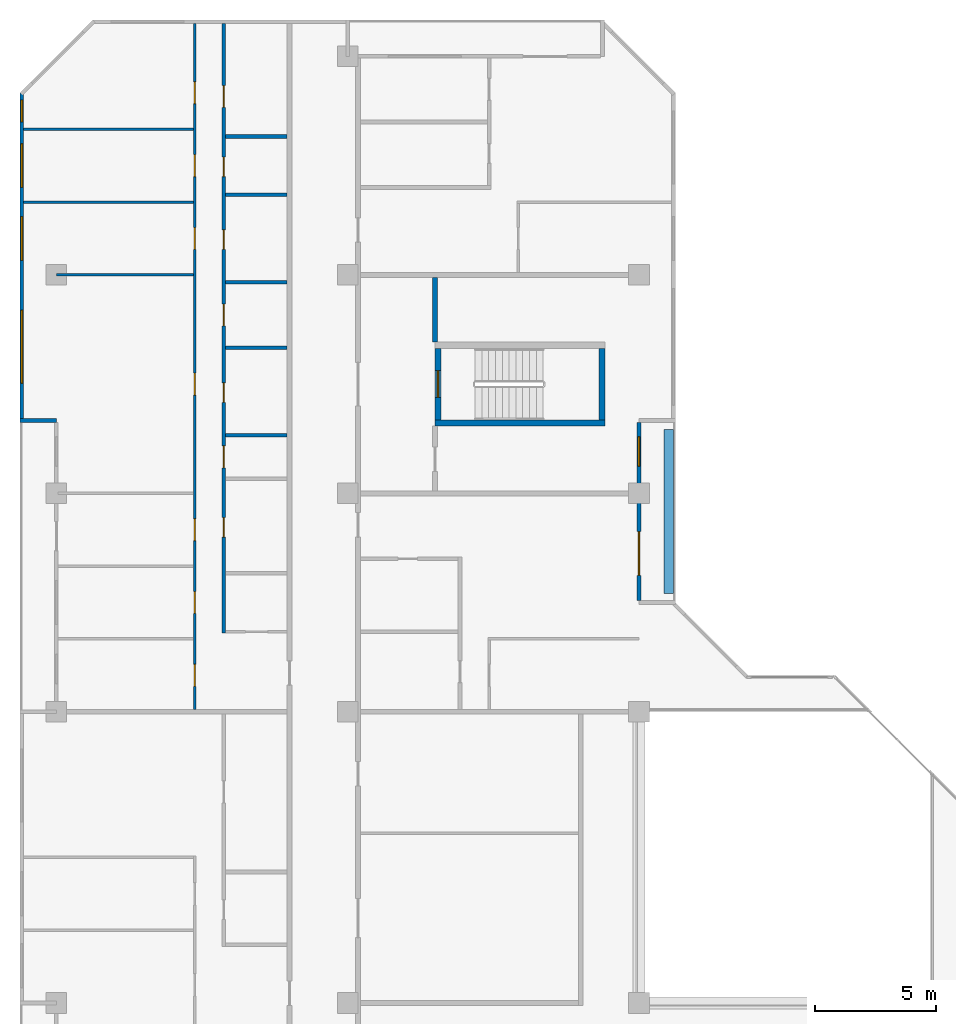
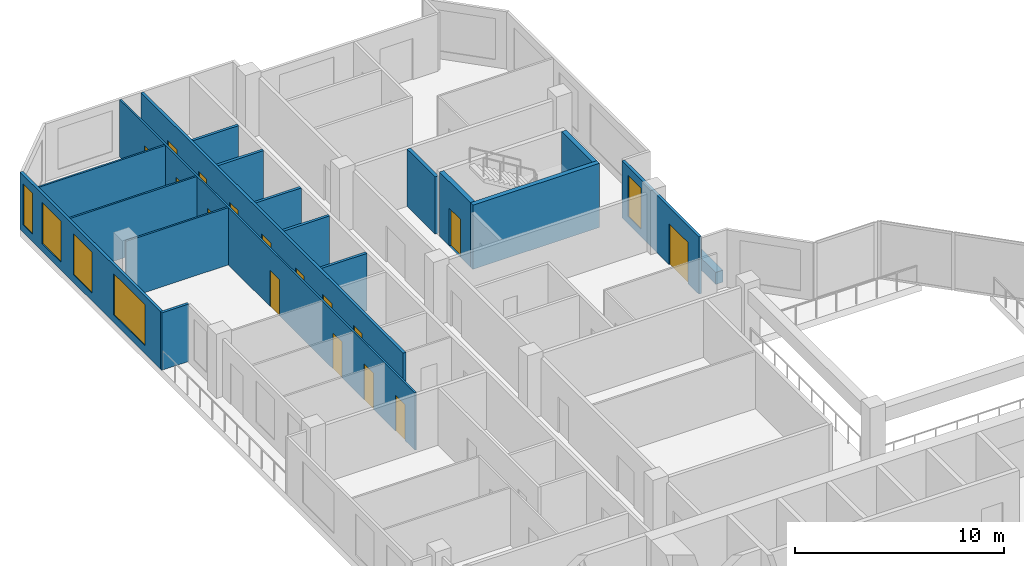
# One storey, part 10 of 14: 18 walls, 16 doors, 5 windows, 21 openings.
"""IFC4 building model written with IfcOpenShell, lengths in metres."""

import ifcopenshell
import ifcopenshell.guid

model = None  # the IFC model being written
_history = None  # IfcOwnerHistory: only IFC2X3 demands one
_inside = {}  # id of a spatial element -> (the spatial element, [elements in it])
_under = {}  # id of a project, library or spatial element -> (it, [spatial elements below it])
_declared = {}  # id of a project -> (the project, [libraries it declares])
_typed = {}  # id of a type object -> (the type object, [elements of that type])
_made_of = {}  # id of a material, layer set ... -> (it, [elements and type objects made of it])


def new_model(schema):
    """Start an empty IFC model of exactly this schema.

    Asked for "IFC4X3", IfcOpenShell would pick the latest addendum, in which some entities
    have other attributes; the version numbers below select the first issue.
    IFC2X3 requires an IfcOwnerHistory on every rooted entity: one is made here for all.
    """
    global model, _history
    if schema == "IFC4X3":
        model = ifcopenshell.file(schema_version=(4, 3, 0, 0))
    else:
        model = ifcopenshell.file(schema=schema)
    _inside.clear()
    _under.clear()
    _declared.clear()
    _typed.clear()
    _made_of.clear()
    _history = None
    if model.schema == "IFC2X3":
        org = make("IfcOrganization", Name="unknown")
        user = make(
            "IfcPersonAndOrganization",
            ThePerson=make("IfcPerson", FamilyName="unknown"),
            TheOrganization=org,
        )
        app = make(
            "IfcApplication",
            ApplicationDeveloper=org,
            Version="unknown",
            ApplicationFullName="unknown",
            ApplicationIdentifier="unknown",
        )
        _history = make(
            "IfcOwnerHistory",
            OwningUser=user,
            OwningApplication=app,
            ChangeAction="ADDED",
            CreationDate=0,
        )
    return model


def make(cls, **values):
    """One entity of the class cls with the attributes given. An attribute that is None is left unset."""
    return model.create_entity(
        cls, **{name: value for name, value in values.items() if value is not None}
    )


def rooted(cls, **values):
    """An entity with a GlobalId (a new one), such as an element, a storey or a relation."""
    return make(cls, GlobalId=ifcopenshell.guid.new(), OwnerHistory=_history, **values)


def si_unit(unit_type, name, prefix=None):
    """IfcSIUnit, for example si_unit("LENGTHUNIT", "METRE", prefix="MILLI")."""
    return make("IfcSIUnit", UnitType=unit_type, Prefix=prefix, Name=name)


def assignment(units):
    """IfcUnitAssignment: the units of a project."""
    return None if units is None else make("IfcUnitAssignment", Units=units)


def point(xyz):
    """IfcCartesianPoint."""
    return None if xyz is None else make("IfcCartesianPoint", Coordinates=xyz)


def direction(xyz):
    """IfcDirection."""
    return None if xyz is None else make("IfcDirection", DirectionRatios=xyz)


def frame(location, z_axis=None, x_axis=None):
    """IfcAxis2Placement3D, a coordinate frame: its origin and axes. An axis left out is left unset."""
    return make(
        "IfcAxis2Placement3D",
        Location=point(location),
        Axis=direction(z_axis),
        RefDirection=direction(x_axis),
    )


def frame_2d(location, x_axis=None):
    """IfcAxis2Placement2D, a coordinate frame in the plane: its origin and x axis."""
    return make(
        "IfcAxis2Placement2D", Location=point(location), RefDirection=direction(x_axis)
    )


def origin():
    """The frame at (0, 0, 0) with its axes left unset."""
    return frame((0.0, 0.0, 0.0))


def place(relative_to, where):
    """IfcLocalPlacement: puts the frame where relative to a parent placement (None: the world)."""
    return make(
        "IfcLocalPlacement", PlacementRelTo=relative_to, RelativePlacement=where
    )


def context(
    kind, dimensions, precision=None, world=None, true_north=None, identifier=None
):
    """IfcGeometricRepresentationContext, for example the 3D "Model" context."""
    return make(
        "IfcGeometricRepresentationContext",
        ContextIdentifier=identifier,
        ContextType=kind,
        CoordinateSpaceDimension=dimensions,
        Precision=precision,
        WorldCoordinateSystem=world,
        TrueNorth=true_north,
    )


def subcontext(parent, identifier, kind, view, scale=None):
    """IfcGeometricRepresentationSubContext, for example "Body" below "Model"."""
    return make(
        "IfcGeometricRepresentationSubContext",
        ContextIdentifier=identifier,
        ContextType=kind,
        ParentContext=parent,
        TargetScale=scale,
        TargetView=view,
    )


def project(units=None, contexts=None):
    """IfcProject with its units and contexts."""
    return rooted(
        "IfcProject",
        Name="project",
        RepresentationContexts=contexts,
        UnitsInContext=assignment(units),
    )


def spatial(cls, under=None, at=None, **own):
    """A site, building, storey or space (cls), placed at a placement, below another one or the project."""
    s = rooted(cls, ObjectPlacement=at, **own)
    if under is not None:
        _under.setdefault(under.id(), (under, []))[1].append(s)
    return s


def profile(cls, at=None, kind="AREA", **sizes):
    """A parametric profile (cls). Its sizes go by their IFC names, for example OverallWidth=200.0."""
    return make(cls, ProfileType=kind, Position=at, **sizes)


def rectangle(**sizes):
    """IfcRectangleProfileDef."""
    return profile("IfcRectangleProfileDef", **sizes)


def extrude(swept, where, along, depth):
    """IfcExtrudedAreaSolid: the profile swept, set in the frame where, extruded along a direction by depth."""
    return make(
        "IfcExtrudedAreaSolid",
        SweptArea=swept,
        Position=where,
        ExtrudedDirection=direction(along),
        Depth=depth,
    )


def shape(context_of_items, identifier, shape_type, items):
    """IfcShapeRepresentation: the items that make up one representation, for example the "Body"."""
    return make(
        "IfcShapeRepresentation",
        ContextOfItems=context_of_items,
        RepresentationIdentifier=identifier,
        RepresentationType=shape_type,
        Items=items,
    )


def material(Name=None, Category=None):
    """IfcMaterial."""
    return make("IfcMaterial", Name=Name, Category=Category)


def layer(
    of_material, thickness, ventilated=None, Name=None, Category=None, Priority=None
):
    """IfcMaterialLayer: one layer of a wall or slab, of a material (None: an air gap)."""
    return make(
        "IfcMaterialLayer",
        Material=of_material,
        LayerThickness=thickness,
        IsVentilated=ventilated,
        Name=Name,
        Category=Category,
        Priority=Priority,
    )


def layer_set(layers, Name=None):
    """IfcMaterialLayerSet."""
    return make("IfcMaterialLayerSet", MaterialLayers=layers, LayerSetName=Name)


def made_of(thing, what):
    """Note that an element or type object is made of a material, layer set ...; save() writes the relation."""
    if what is not None:
        _made_of.setdefault(what.id(), (what, []))[1].append(thing)
    return thing


def type_object(cls, material=None, **own):
    """A type object (cls), such as IfcWallType, which elements share."""
    return made_of(rooted(cls, **own), material)


def element(
    cls,
    number,
    at=None,
    inside=None,
    cuts=None,
    type_object=None,
    material=None,
    context=None,
    identifier="Body",
    shape_type=None,
    held_by="IfcProductDefinitionShape",
    body=None,
    shapes=None,
    **own,
):
    """One element of the class cls, such as IfcWall. Its Tag is "e" and its number.

    at: its placement. inside: the storey or other place that contains it. cuts: it is an
    opening in that element (IfcRelVoidsElement). A single representation is given by context,
    identifier, shape_type and body (its items); several are given by shapes. held_by: the class
    of the entity that holds the representations. save() writes the other relations.
    """
    e = rooted(cls, Tag="e%d" % number, ObjectPlacement=at, **own)
    if body is not None:
        shapes = [shape(context, identifier, shape_type, body)]
    if shapes is not None:
        e.Representation = make(held_by, Representations=shapes)
    if inside is not None:
        _inside.setdefault(inside.id(), (inside, []))[1].append(e)
    if cuts is not None:
        rooted(
            "IfcRelVoidsElement", RelatingBuildingElement=cuts, RelatedOpeningElement=e
        )
    if type_object is not None:
        _typed.setdefault(type_object.id(), (type_object, []))[1].append(e)
    return made_of(e, material)


def fill(opening, filler):
    """IfcRelFillsElement: the door or window that sits in an opening."""
    return rooted(
        "IfcRelFillsElement",
        RelatingOpeningElement=opening,
        RelatedBuildingElement=filler,
    )


def aggregate(whole, parts):
    """IfcRelAggregates: a whole, such as a stair, and the parts it consists of."""
    return rooted("IfcRelAggregates", RelatingObject=whole, RelatedObjects=parts)


def save(model, path):
    """Write the relations noted so far, then the file.

    IfcRelAggregates (storeys below a building ...), IfcRelContainedInSpatialStructure (elements
    in a storey), IfcRelDefinesByType, IfcRelAssociatesMaterial and IfcRelDeclares: one each for
    every whole, place, type object, material and project.
    """
    for whole, parts in _under.values():
        aggregate(whole, parts)
    for where, things in _inside.values():
        rooted(
            "IfcRelContainedInSpatialStructure",
            RelatedElements=things,
            RelatingStructure=where,
        )
    for kind, things in _typed.values():
        rooted("IfcRelDefinesByType", RelatedObjects=things, RelatingType=kind)
    for what, things in _made_of.values():
        rooted("IfcRelAssociatesMaterial", RelatedObjects=things, RelatingMaterial=what)
    for by, libraries in _declared.values():
        rooted("IfcRelDeclares", RelatingContext=by, RelatedDefinitions=libraries)
    model.write(path)


model = new_model("IFC4")

# Units and contexts
model_context = context("Model", 3, precision=1e-05, world=origin(), true_north=direction((0.0, 1.0)))
body_context = subcontext(model_context, "Body", "Model", "MODEL_VIEW")
ifc_project = project(units=[si_unit("LENGTHUNIT", "METRE"), si_unit("AREAUNIT", "SQUARE_METRE"), si_unit("VOLUMEUNIT", "CUBIC_METRE"), si_unit("PLANEANGLEUNIT", "RADIAN"), si_unit("MASSUNIT", "GRAM", prefix="KILO")], contexts=[model_context])

# Site, building, storey
site_placement = place(None, origin())
site = spatial("IfcSite", under=ifc_project, at=site_placement, CompositionType="ELEMENT")
building_placement = place(site_placement, origin())
building = spatial("IfcBuilding", under=site, at=building_placement, Name="Chenar Terraces", CompositionType="ELEMENT")
storey_placement = place(building_placement, frame((0.0, 0.0, 230.39990234375)))
storey = spatial("IfcBuildingStorey", under=building, at=storey_placement, Name="L54", CompositionType="ELEMENT", Elevation=230.39990234375)

# Wall
ifc_material_1 = material(Name="Concrete C60/75", Category="concrete")
ifc_layer_1 = layer(ifc_material_1, 0.25)
ifc_layer_set_1 = layer_set([ifc_layer_1], Name="Concrete C60/75")
wall_type_1 = type_object("IfcWallType", Name="Core wall 250 Concrete C60/75", PredefinedType="SHEAR", material=ifc_layer_set_1)
wall_1_placement = place(storey_placement, frame((15.60009765625, 47.89990234375, 0.0), z_axis=(0.0, 0.0, 1.0), x_axis=(1.0, 0.0, 0.0)))
element("IfcWall", 1, at=wall_1_placement, inside=storey, type_object=wall_type_1, Name="Core wall ST4_S L54", PredefinedType="SHEAR", context=body_context, shape_type="SweptSolid", body=[
    extrude(rectangle(XDim=7.0, YDim=0.25, at=frame_2d((3.5, 0.0))), origin(), (0.0, 0.0, 1.0), 3.75),
])

# Wall, opening, door
wall_2_placement = place(storey_placement, frame((15.72509765625, 48.02490234375, 0.0), z_axis=(0.0, 0.0, 1.0), x_axis=(0.0, 1.0, 0.0)))
wall_2 = element("IfcWall", 2, at=wall_2_placement, inside=storey, type_object=wall_type_1, Name="Core wall ST4_W L54", PredefinedType="SHEAR", context=body_context, shape_type="SweptSolid", body=[
    extrude(rectangle(XDim=2.9501953125, YDim=0.25, at=frame_2d((1.47509765625, 0.0))), origin(), (0.0, 0.0, 1.0), 3.75),
])
opening_1_placement = place(wall_2_placement, frame((0.925048828125, 0.0, 0.0)))
opening_1 = element("IfcOpeningElement", 3, at=opening_1_placement, cuts=wall_2, Name="Opening DL54-C9", PredefinedType="OPENING", context=body_context, shape_type="SweptSolid", body=[
    extrude(rectangle(XDim=1.10009765625, YDim=2.199951171875, at=frame_2d((0.550048828125, 1.10009765625))), frame((0.0, 0.135009765625, 0.0), z_axis=(0.0, -1.0, 0.0), x_axis=(1.0, 0.0, 0.0)), (0.0, 0.0, 1.0), 0.27001953125),
])
ifc_material_2 = material(Name="Steel-framed fire-resisting door leaf", Category="steel")
door_type_1 = type_object("IfcDoorType", Name="Stair fire door FD60 1100 x 2200", OperationType="SINGLE_SWING_LEFT", PredefinedType="DOOR", material=ifc_material_2)
door_1_placement = place(opening_1_placement, frame((1.10009765625, 0.0, 0.0), z_axis=(0.0, 0.0, 1.0), x_axis=(-1.0, 0.0, 0.0)))
door_1 = element("IfcDoor", 4, at=door_1_placement, inside=storey, type_object=door_type_1, Name="Stair door DL54-C9", OperationType="SINGLE_SWING_RIGHT", OverallHeight=2.199951171875, OverallWidth=1.10009765625, PredefinedType="DOOR", context=body_context, shape_type="SweptSolid", body=[
    extrude(rectangle(XDim=1.10009765625, YDim=2.199951171875, at=frame_2d((0.550048828125, 1.10009765625))), frame((0.0, 0.02490234375, 0.0), z_axis=(0.0, -1.0, 0.0), x_axis=(1.0, 0.0, 0.0)), (0.0, 0.0, 1.0), 0.050048828125),
])
fill(opening_1, door_1)

# Walls
wall_3_placement = place(storey_placement, frame((22.47509765625, 48.02490234375, 0.0), z_axis=(0.0, 0.0, 1.0), x_axis=(0.0, 1.0, 0.0)))
element("IfcWall", 5, at=wall_3_placement, inside=storey, type_object=wall_type_1, Name="Core wall ST4_E L54", PredefinedType="SHEAR", context=body_context, shape_type="SweptSolid", body=[
    extrude(rectangle(XDim=2.9501953125, YDim=0.25, at=frame_2d((1.47509765625, 0.0))), origin(), (0.0, 0.0, 1.0), 3.75),
])
ifc_material_3 = material(Name="Gypsum board on steel studs with fire boards", Category="steel")
ifc_layer_2 = layer(ifc_material_3, 0.199951171875)
ifc_layer_set_2 = layer_set([ifc_layer_2], Name="Gypsum board on steel studs with fire boards")
wall_type_2 = type_object("IfcWallType", Name="Corridor wall 200", PredefinedType="PARTITIONING", material=ifc_layer_set_2)
wall_4_placement = place(storey_placement, frame((15.60009765625, 51.22509765625, 0.0), z_axis=(0.0, 0.0, 1.0), x_axis=(0.0, 1.0, 0.0)))
element("IfcWall", 6, at=wall_4_placement, inside=storey, type_object=wall_type_2, Name="Partition L54-043", PredefinedType="PARTITIONING", context=body_context, shape_type="SweptSolid", body=[
    extrude(rectangle(XDim=2.6748046875, YDim=0.199951171875, at=frame_2d((1.33740234375, 0.0))), origin(), (0.0, 0.0, 1.0), 3.35009765625),
])

# Wall, openings, windows
ifc_material_4 = material(Name="Aluminium framed glazing", Category="aluminium")
ifc_layer_3 = layer(ifc_material_4, 0.14990234375)
ifc_layer_set_3 = layer_set([ifc_layer_3], Name="Aluminium framed glazing")
wall_type_3 = type_object("IfcWallType", Name="Glazed flush facade wall 150", PredefinedType="SOLIDWALL", material=ifc_layer_set_3)
wall_5_placement = place(storey_placement, frame((-1.425048828125, 61.5, 0.0), z_axis=(0.0, 0.0, 1.0), x_axis=(0.0, -1.0, 0.0)))
wall_5 = element("IfcWall", 7, at=wall_5_placement, inside=storey, type_object=wall_type_3, Name="Glazed flush facade wall", PredefinedType="SOLIDWALL", context=body_context, shape_type="SweptSolid", body=[
    extrude(rectangle(XDim=13.425048828125, YDim=0.14990234375, at=frame_2d((6.71240234375, 0.0))), origin(), (0.0, 0.0, 1.0), 3.35009765625),
])
opening_2_placement = place(wall_5_placement, frame((0.300048828125, 0.0, 0.449951171875)))
opening_2 = element("IfcOpeningElement", 8, at=opening_2_placement, cuts=wall_5, Name="Opening W90x240", PredefinedType="OPENING", context=body_context, shape_type="SweptSolid", body=[
    extrude(rectangle(XDim=0.89990234375, YDim=2.39990234375, at=frame_2d((0.449951171875, 1.199951171875))), frame((0.0, 0.0849609375, 0.0), z_axis=(0.0, -1.0, 0.0), x_axis=(1.0, 0.0, 0.0)), (0.0, 0.0, 1.0), 0.169921875),
])
opening_3_placement = place(wall_5_placement, frame((2.10009765625, 0.0, 0.449951171875)))
opening_3 = element("IfcOpeningElement", 9, at=opening_3_placement, cuts=wall_5, Name="Opening W180x240", PredefinedType="OPENING", context=body_context, shape_type="SweptSolid", body=[
    extrude(rectangle(XDim=1.800048828125, YDim=2.39990234375, at=frame_2d((0.89990234375, 1.199951171875))), frame((0.0, 0.0849609375, 0.0), z_axis=(0.0, -1.0, 0.0), x_axis=(1.0, 0.0, 0.0)), (0.0, 0.0, 1.0), 0.169921875),
])
opening_4_placement = place(wall_5_placement, frame((5.10009765625, 0.0, 0.449951171875)))
opening_4 = element("IfcOpeningElement", 10, at=opening_4_placement, cuts=wall_5, Name="Opening W180x240", PredefinedType="OPENING", context=body_context, shape_type="SweptSolid", body=[
    extrude(rectangle(XDim=1.800048828125, YDim=2.39990234375, at=frame_2d((0.89990234375, 1.199951171875))), frame((0.0, 0.0849609375, 0.0), z_axis=(0.0, -1.0, 0.0), x_axis=(1.0, 0.0, 0.0)), (0.0, 0.0, 1.0), 0.169921875),
])
opening_5_placement = place(wall_5_placement, frame((8.96240234375, 0.0, 0.449951171875)))
opening_5 = element("IfcOpeningElement", 11, at=opening_5_placement, cuts=wall_5, Name="Opening W300x240", PredefinedType="OPENING", context=body_context, shape_type="SweptSolid", body=[
    extrude(rectangle(XDim=3.0, YDim=2.39990234375, at=frame_2d((1.5, 1.199951171875))), frame((0.0, 0.0849609375, 0.0), z_axis=(0.0, -1.0, 0.0), x_axis=(1.0, 0.0, 0.0)), (0.0, 0.0, 1.0), 0.169921875),
])
ifc_material_5 = material(Name="Low emissivity double glazing, aluminium frame", Category="aluminium")
window_type_1 = type_object("IfcWindowType", Name="Fixed light 1800 x 2400", PartitioningType="SINGLE_PANEL", PredefinedType="WINDOW", material=ifc_material_5)
window_1_placement = place(opening_3_placement, origin())
window_1 = element("IfcWindow", 12, at=window_1_placement, inside=storey, type_object=window_type_1, Name="Window", OverallHeight=2.39990234375, OverallWidth=1.800048828125, PartitioningType="SINGLE_PANEL", PredefinedType="WINDOW", context=body_context, shape_type="SweptSolid", body=[
    extrude(rectangle(XDim=1.800048828125, YDim=2.39990234375, at=frame_2d((0.89990234375, 1.199951171875))), frame((0.0, 0.030029296875, 0.0), z_axis=(0.0, -1.0, 0.0), x_axis=(1.0, 0.0, 0.0)), (0.0, 0.0, 1.0), 0.06005859375),
])
fill(opening_3, window_1)
window_2_placement = place(opening_4_placement, origin())
window_2 = element("IfcWindow", 13, at=window_2_placement, inside=storey, type_object=window_type_1, Name="Window", OverallHeight=2.39990234375, OverallWidth=1.800048828125, PartitioningType="SINGLE_PANEL", PredefinedType="WINDOW", context=body_context, shape_type="SweptSolid", body=[
    extrude(rectangle(XDim=1.800048828125, YDim=2.39990234375, at=frame_2d((0.89990234375, 1.199951171875))), frame((0.0, 0.030029296875, 0.0), z_axis=(0.0, -1.0, 0.0), x_axis=(1.0, 0.0, 0.0)), (0.0, 0.0, 1.0), 0.06005859375),
])
fill(opening_4, window_2)
ifc_material_6 = material(Name="Low emissivity double glazing, aluminium frame", Category="aluminium")
window_type_2 = type_object("IfcWindowType", Name="Fixed light 3000 x 2400", PartitioningType="SINGLE_PANEL", PredefinedType="WINDOW", material=ifc_material_6)
window_3_placement = place(opening_5_placement, origin())
window_3 = element("IfcWindow", 14, at=window_3_placement, inside=storey, type_object=window_type_2, Name="Window", OverallHeight=2.39990234375, OverallWidth=3.0, PartitioningType="SINGLE_PANEL", PredefinedType="WINDOW", context=body_context, shape_type="SweptSolid", body=[
    extrude(rectangle(XDim=3.0, YDim=2.39990234375, at=frame_2d((1.5, 1.199951171875))), frame((0.0, 0.030029296875, 0.0), z_axis=(0.0, -1.0, 0.0), x_axis=(1.0, 0.0, 0.0)), (0.0, 0.0, 1.0), 0.06005859375),
])
fill(opening_5, window_3)
ifc_material_7 = material(Name="Low emissivity double glazing, aluminium frame", Category="aluminium")
window_type_3 = type_object("IfcWindowType", Name="Fixed light 900 x 2400", PartitioningType="SINGLE_PANEL", PredefinedType="WINDOW", material=ifc_material_7)
window_4_placement = place(opening_2_placement, origin())
window_4 = element("IfcWindow", 15, at=window_4_placement, inside=storey, type_object=window_type_3, Name="Window", OverallHeight=2.39990234375, OverallWidth=0.89990234375, PartitioningType="SINGLE_PANEL", PredefinedType="WINDOW", context=body_context, shape_type="SweptSolid", body=[
    extrude(rectangle(XDim=0.89990234375, YDim=2.39990234375, at=frame_2d((0.449951171875, 1.199951171875))), frame((0.0, 0.030029296875, 0.0), z_axis=(0.0, -1.0, 0.0), x_axis=(1.0, 0.0, 0.0)), (0.0, 0.0, 1.0), 0.06005859375),
])
fill(opening_2, window_4)

# Wall, openings, window, door
ifc_material_8 = material(Name="Aluminium framed glazing", Category="aluminium")
ifc_layer_4 = layer(ifc_material_8, 0.14990234375)
ifc_layer_set_4 = layer_set([ifc_layer_4], Name="Aluminium framed glazing")
wall_type_4 = type_object("IfcWallType", Name="Glazed loggia back wall 150", PredefinedType="SOLIDWALL", material=ifc_layer_set_4)
wall_6_placement = place(storey_placement, frame((24.0, 40.574951171875, 0.0), z_axis=(0.0, 0.0, 1.0), x_axis=(0.0, 1.0, 0.0)))
wall_6 = element("IfcWall", 16, at=wall_6_placement, inside=storey, type_object=wall_type_4, Name="Glazed loggia back wall", PredefinedType="SOLIDWALL", context=body_context, shape_type="SweptSolid", body=[
    extrude(rectangle(XDim=7.35009765625, YDim=0.14990234375, at=frame_2d((3.675048828125, 0.0))), origin(), (0.0, 0.0, 1.0), 3.35009765625),
])
opening_6_placement = place(wall_6_placement, frame((1.050048828125, 0.0, 0.0)))
opening_6 = element("IfcOpeningElement", 17, at=opening_6_placement, cuts=wall_6, Name="Opening DL54-G1", PredefinedType="OPENING", context=body_context, shape_type="SweptSolid", body=[
    extrude(rectangle(XDim=1.800048828125, YDim=2.39990234375, at=frame_2d((0.89990234375, 1.199951171875))), frame((0.0, 0.0849609375, 0.0), z_axis=(0.0, -1.0, 0.0), x_axis=(1.0, 0.0, 0.0)), (0.0, 0.0, 1.0), 0.169921875),
])
opening_7_placement = place(wall_6_placement, frame((5.550048828125, 0.0, 0.449951171875)))
opening_7 = element("IfcOpeningElement", 18, at=opening_7_placement, cuts=wall_6, Name="Opening W120x240", PredefinedType="OPENING", context=body_context, shape_type="SweptSolid", body=[
    extrude(rectangle(XDim=1.199951171875, YDim=2.39990234375, at=frame_2d((0.60009765625, 1.199951171875))), frame((0.0, 0.0849609375, 0.0), z_axis=(0.0, -1.0, 0.0), x_axis=(1.0, 0.0, 0.0)), (0.0, 0.0, 1.0), 0.169921875),
])
ifc_material_9 = material(Name="Low emissivity double glazing, aluminium frame", Category="aluminium")
window_type_4 = type_object("IfcWindowType", Name="Fixed light 1200 x 2400", PartitioningType="SINGLE_PANEL", PredefinedType="WINDOW", material=ifc_material_9)
window_5_placement = place(opening_7_placement, origin())
window_5 = element("IfcWindow", 19, at=window_5_placement, inside=storey, type_object=window_type_4, Name="Window", OverallHeight=2.39990234375, OverallWidth=1.199951171875, PartitioningType="SINGLE_PANEL", PredefinedType="WINDOW", context=body_context, shape_type="SweptSolid", body=[
    extrude(rectangle(XDim=1.199951171875, YDim=2.39990234375, at=frame_2d((0.60009765625, 1.199951171875))), frame((0.0, 0.030029296875, 0.0), z_axis=(0.0, -1.0, 0.0), x_axis=(1.0, 0.0, 0.0)), (0.0, 0.0, 1.0), 0.06005859375),
])
fill(opening_7, window_5)
ifc_material_10 = material(Name="Low emissivity double glazing, aluminium frame", Category="aluminium")
door_type_2 = type_object("IfcDoorType", Name="Loggia glazed double door 1800 x 2400", OperationType="DOUBLE_DOOR_SINGLE_SWING", PredefinedType="DOOR", material=ifc_material_10)
door_2_placement = place(opening_6_placement, frame((1.800048828125, 0.0, 0.0), z_axis=(0.0, 0.0, 1.0), x_axis=(-1.0, 0.0, 0.0)))
door_2 = element("IfcDoor", 20, at=door_2_placement, inside=storey, type_object=door_type_2, Name="Loggia glazed door", OperationType="DOUBLE_DOOR_SINGLE_SWING", OverallHeight=2.39990234375, OverallWidth=1.800048828125, PredefinedType="DOOR", context=body_context, shape_type="SweptSolid", body=[
    extrude(rectangle(XDim=1.800048828125, YDim=2.39990234375, at=frame_2d((0.89990234375, 1.199951171875))), frame((0.0, 0.02490234375, 0.0), z_axis=(0.0, -1.0, 0.0), x_axis=(1.0, 0.0, 0.0)), (0.0, 0.0, 1.0), 0.050048828125),
])
fill(opening_6, door_2)

# Walls
ifc_material_11 = material(Name="Gypsum board on steel studs", Category="steel")
ifc_layer_5 = layer(ifc_material_11, 0.10009765625)
ifc_layer_set_5 = layer_set([ifc_layer_5], Name="Gypsum board on steel studs")
wall_type_5 = type_object("IfcWallType", Name="Gypsum partition 100", PredefinedType="PARTITIONING", material=ifc_layer_set_5)
for number, where, z_axis, x_axis, name in (
    (21, (-1.35107421875, 57.0, 0.0), (0.0, 0.0, 1.0), (1.0, 0.0, 0.0), "Partition L54-002"),
    (22, (-1.35107421875, 60.0, 0.0), (0.0, 0.0, 1.0), (1.0, 0.0, 0.0), "Partition L54-003"),
):
    element("IfcWall", number, at=place(storey_placement, frame(where, z_axis=z_axis, x_axis=x_axis)), inside=storey, type_object=wall_type_5, Name=name, PredefinedType="PARTITIONING", context=body_context, shape_type="SweptSolid", body=[
        extrude(rectangle(XDim=7.0009765625, YDim=0.10009765625, at=frame_2d((3.50048828125, 0.0))), origin(), (0.0, 0.0, 1.0), 3.35009765625),
    ])
wall_7_placement = place(storey_placement, frame((0.0, 54.0, 0.0), z_axis=(0.0, 0.0, 1.0), x_axis=(1.0, 0.0, 0.0)))
element("IfcWall", 23, at=wall_7_placement, inside=storey, type_object=wall_type_5, Name="Partition L54-006", PredefinedType="PARTITIONING", context=body_context, shape_type="SweptSolid", body=[
    extrude(rectangle(XDim=5.64990234375, YDim=0.10009765625, at=frame_2d((2.824951171875, 0.0))), origin(), (0.0, 0.0, 1.0), 3.35009765625),
])

# Wall, openings, doors
wall_8_placement = place(storey_placement, frame((5.699951171875, 36.10009765625, 0.0), z_axis=(0.0, 0.0, 1.0), x_axis=(0.0, 1.0, 0.0)))
wall_8 = element("IfcWall", 24, at=wall_8_placement, inside=storey, type_object=wall_type_5, Name="Partition L54-014", PredefinedType="PARTITIONING", context=body_context, shape_type="SweptSolid", body=[
    extrude(rectangle(XDim=28.25, YDim=0.10009765625, at=frame_2d((14.125, 0.0))), origin(), (0.0, 0.0, 1.0), 3.35009765625),
])
opening_8_placement = place(wall_8_placement, frame((0.949951171875, 0.0, 0.0)))
opening_8 = element("IfcOpeningElement", 25, at=opening_8_placement, cuts=wall_8, Name="Opening DL54-23", PredefinedType="OPENING", context=body_context, shape_type="SweptSolid", body=[
    extrude(rectangle(XDim=0.89990234375, YDim=2.10009765625, at=frame_2d((0.449951171875, 1.050048828125))), frame((0.0, 0.06005859375, 0.0), z_axis=(0.0, -1.0, 0.0), x_axis=(1.0, 0.0, 0.0)), (0.0, 0.0, 1.0), 0.1201171875),
])
opening_9_placement = place(wall_8_placement, frame((3.949951171875, 0.0, 0.0)))
opening_9 = element("IfcOpeningElement", 26, at=opening_9_placement, cuts=wall_8, Name="Opening DL54-24", PredefinedType="OPENING", context=body_context, shape_type="SweptSolid", body=[
    extrude(rectangle(XDim=0.89990234375, YDim=2.10009765625, at=frame_2d((0.449951171875, 1.050048828125))), frame((0.0, 0.06005859375, 0.0), z_axis=(0.0, -1.0, 0.0), x_axis=(1.0, 0.0, 0.0)), (0.0, 0.0, 1.0), 0.1201171875),
])
opening_10_placement = place(wall_8_placement, frame((6.949951171875, 0.0, 0.0)))
opening_10 = element("IfcOpeningElement", 27, at=opening_10_placement, cuts=wall_8, Name="Opening DL54-25", PredefinedType="OPENING", context=body_context, shape_type="SweptSolid", body=[
    extrude(rectangle(XDim=0.89990234375, YDim=2.10009765625, at=frame_2d((0.449951171875, 1.050048828125))), frame((0.0, 0.06005859375, 0.0), z_axis=(0.0, -1.0, 0.0), x_axis=(1.0, 0.0, 0.0)), (0.0, 0.0, 1.0), 0.1201171875),
])
opening_11_placement = place(wall_8_placement, frame((18.949951171875, 0.0, 0.0)))
opening_11 = element("IfcOpeningElement", 28, at=opening_11_placement, cuts=wall_8, Name="Opening DL54-26", PredefinedType="OPENING", context=body_context, shape_type="SweptSolid", body=[
    extrude(rectangle(XDim=0.89990234375, YDim=2.10009765625, at=frame_2d((0.449951171875, 1.050048828125))), frame((0.0, 0.06005859375, 0.0), z_axis=(0.0, -1.0, 0.0), x_axis=(1.0, 0.0, 0.0)), (0.0, 0.0, 1.0), 0.1201171875),
])
opening_12_placement = place(wall_8_placement, frame((21.949951171875, 0.0, 0.0)))
opening_12 = element("IfcOpeningElement", 29, at=opening_12_placement, cuts=wall_8, Name="Opening DL54-27", PredefinedType="OPENING", context=body_context, shape_type="SweptSolid", body=[
    extrude(rectangle(XDim=0.89990234375, YDim=2.10009765625, at=frame_2d((0.449951171875, 1.050048828125))), frame((0.0, 0.06005859375, 0.0), z_axis=(0.0, -1.0, 0.0), x_axis=(1.0, 0.0, 0.0)), (0.0, 0.0, 1.0), 0.1201171875),
])
opening_13_placement = place(wall_8_placement, frame((24.949951171875, 0.0, 0.0)))
opening_13 = element("IfcOpeningElement", 30, at=opening_13_placement, cuts=wall_8, Name="Opening DL54-28", PredefinedType="OPENING", context=body_context, shape_type="SweptSolid", body=[
    extrude(rectangle(XDim=0.89990234375, YDim=2.10009765625, at=frame_2d((0.449951171875, 1.050048828125))), frame((0.0, 0.06005859375, 0.0), z_axis=(0.0, -1.0, 0.0), x_axis=(1.0, 0.0, 0.0)), (0.0, 0.0, 1.0), 0.1201171875),
])
opening_14_placement = place(wall_8_placement, frame((12.949951171875, 0.0, 0.0)))
opening_14 = element("IfcOpeningElement", 31, at=opening_14_placement, cuts=wall_8, Name="Opening DL54-32", PredefinedType="OPENING", context=body_context, shape_type="SweptSolid", body=[
    extrude(rectangle(XDim=0.89990234375, YDim=2.10009765625, at=frame_2d((0.449951171875, 1.050048828125))), frame((0.0, 0.06005859375, 0.0), z_axis=(0.0, -1.0, 0.0), x_axis=(1.0, 0.0, 0.0)), (0.0, 0.0, 1.0), 0.1201171875),
])
ifc_material_12 = material(Name="Veneered timber door leaf", Category="wood")
door_type_3 = type_object("IfcDoorType", Name="Door 900 x 2100", OperationType="SINGLE_SWING_LEFT", PredefinedType="DOOR", material=ifc_material_12)
door_3_placement = place(opening_8_placement, origin())
door_3 = element("IfcDoor", 32, at=door_3_placement, inside=storey, type_object=door_type_3, Name="Door DL54-23", OperationType="SINGLE_SWING_RIGHT", OverallHeight=2.10009765625, OverallWidth=0.89990234375, PredefinedType="DOOR", context=body_context, shape_type="SweptSolid", body=[
    extrude(rectangle(XDim=0.89990234375, YDim=2.10009765625, at=frame_2d((0.449951171875, 1.050048828125))), frame((0.0, 0.02490234375, 0.0), z_axis=(0.0, -1.0, 0.0), x_axis=(1.0, 0.0, 0.0)), (0.0, 0.0, 1.0), 0.050048828125),
])
fill(opening_8, door_3)
door_4_placement = place(opening_9_placement, origin())
door_4 = element("IfcDoor", 33, at=door_4_placement, inside=storey, type_object=door_type_3, Name="Door DL54-24", OperationType="SINGLE_SWING_RIGHT", OverallHeight=2.10009765625, OverallWidth=0.89990234375, PredefinedType="DOOR", context=body_context, shape_type="SweptSolid", body=[
    extrude(rectangle(XDim=0.89990234375, YDim=2.10009765625, at=frame_2d((0.449951171875, 1.050048828125))), frame((0.0, 0.02490234375, 0.0), z_axis=(0.0, -1.0, 0.0), x_axis=(1.0, 0.0, 0.0)), (0.0, 0.0, 1.0), 0.050048828125),
])
fill(opening_9, door_4)
door_5_placement = place(opening_10_placement, origin())
door_5 = element("IfcDoor", 34, at=door_5_placement, inside=storey, type_object=door_type_3, Name="Door DL54-25", OperationType="SINGLE_SWING_RIGHT", OverallHeight=2.10009765625, OverallWidth=0.89990234375, PredefinedType="DOOR", context=body_context, shape_type="SweptSolid", body=[
    extrude(rectangle(XDim=0.89990234375, YDim=2.10009765625, at=frame_2d((0.449951171875, 1.050048828125))), frame((0.0, 0.02490234375, 0.0), z_axis=(0.0, -1.0, 0.0), x_axis=(1.0, 0.0, 0.0)), (0.0, 0.0, 1.0), 0.050048828125),
])
fill(opening_10, door_5)
door_6_placement = place(opening_11_placement, origin())
door_6 = element("IfcDoor", 35, at=door_6_placement, inside=storey, type_object=door_type_3, Name="Door DL54-26", OperationType="SINGLE_SWING_RIGHT", OverallHeight=2.10009765625, OverallWidth=0.89990234375, PredefinedType="DOOR", context=body_context, shape_type="SweptSolid", body=[
    extrude(rectangle(XDim=0.89990234375, YDim=2.10009765625, at=frame_2d((0.449951171875, 1.050048828125))), frame((0.0, 0.02490234375, 0.0), z_axis=(0.0, -1.0, 0.0), x_axis=(1.0, 0.0, 0.0)), (0.0, 0.0, 1.0), 0.050048828125),
])
fill(opening_11, door_6)
door_7_placement = place(opening_12_placement, origin())
door_7 = element("IfcDoor", 36, at=door_7_placement, inside=storey, type_object=door_type_3, Name="Door DL54-27", OperationType="SINGLE_SWING_RIGHT", OverallHeight=2.10009765625, OverallWidth=0.89990234375, PredefinedType="DOOR", context=body_context, shape_type="SweptSolid", body=[
    extrude(rectangle(XDim=0.89990234375, YDim=2.10009765625, at=frame_2d((0.449951171875, 1.050048828125))), frame((0.0, 0.02490234375, 0.0), z_axis=(0.0, -1.0, 0.0), x_axis=(1.0, 0.0, 0.0)), (0.0, 0.0, 1.0), 0.050048828125),
])
fill(opening_12, door_7)
door_8_placement = place(opening_13_placement, origin())
door_8 = element("IfcDoor", 37, at=door_8_placement, inside=storey, type_object=door_type_3, Name="Door DL54-28", OperationType="SINGLE_SWING_LEFT", OverallHeight=2.10009765625, OverallWidth=0.89990234375, PredefinedType="DOOR", context=body_context, shape_type="SweptSolid", body=[
    extrude(rectangle(XDim=0.89990234375, YDim=2.10009765625, at=frame_2d((0.449951171875, 1.050048828125))), frame((0.0, 0.02490234375, 0.0), z_axis=(0.0, -1.0, 0.0), x_axis=(1.0, 0.0, 0.0)), (0.0, 0.0, 1.0), 0.050048828125),
])
fill(opening_13, door_8)
door_9_placement = place(opening_14_placement, frame((0.89990234375, 0.0, 0.0), z_axis=(0.0, 0.0, 1.0), x_axis=(-1.0, 0.0, 0.0)))
door_9 = element("IfcDoor", 38, at=door_9_placement, inside=storey, type_object=door_type_3, Name="Door DL54-32", OperationType="SINGLE_SWING_LEFT", OverallHeight=2.10009765625, OverallWidth=0.89990234375, PredefinedType="DOOR", context=body_context, shape_type="SweptSolid", body=[
    extrude(rectangle(XDim=0.89990234375, YDim=2.10009765625, at=frame_2d((0.449951171875, 1.050048828125))), frame((0.0, 0.02490234375, 0.0), z_axis=(0.0, -1.0, 0.0), x_axis=(1.0, 0.0, 0.0)), (0.0, 0.0, 1.0), 0.050048828125),
])
fill(opening_14, door_9)

# Walls
ifc_material_13 = material(Name="Terracotta cladding on insulated backing", Category="masonry")
ifc_layer_6 = layer(ifc_material_13, 0.14990234375)
ifc_layer_set_6 = layer_set([ifc_layer_6], Name="Terracotta cladding on insulated backing")
wall_type_6 = type_object("IfcWallType", Name="Loggia return wall 150", PredefinedType="SOLIDWALL", material=ifc_layer_set_6)
wall_9_placement = place(storey_placement, frame((-1.5, 48.0, 0.0), z_axis=(0.0, 0.0, 1.0), x_axis=(1.0, 0.0, 0.0)))
element("IfcWall", 39, at=wall_9_placement, inside=storey, type_object=wall_type_6, Name="Loggia return wall", PredefinedType="SOLIDWALL", context=body_context, shape_type="SweptSolid", body=[
    extrude(rectangle(XDim=1.5, YDim=0.14990234375, at=frame_2d((0.75, 0.0))), origin(), (0.0, 0.0, 1.0), 3.35009765625),
])
ifc_material_14 = material(Name="GRP planter trough")
ifc_layer_7 = layer(ifc_material_14, 0.39990234375)
ifc_layer_set_7 = layer_set([ifc_layer_7], Name="GRP planter trough")
wall_type_7 = type_object("IfcWallType", Name="Vertical greenery planter 400", PredefinedType="SOLIDWALL", material=ifc_layer_set_7)
wall_10_placement = place(storey_placement, frame((25.22900390625, 40.875, 0.0), z_axis=(0.0, 0.0, 1.0), x_axis=(0.0, 1.0, 0.0)))
element("IfcWall", 40, at=wall_10_placement, inside=storey, type_object=wall_type_7, Name="Vertical greenery planter", PredefinedType="SOLIDWALL", context=body_context, shape_type="SweptSolid", body=[
    extrude(rectangle(XDim=6.75, YDim=0.39990234375, at=frame_2d((3.375, 0.0))), origin(), (0.0, 0.0, 1.0), 0.7001953125),
])

# Wall, openings, doors
ifc_material_15 = material(Name="Moisture-resistant gypsum board on steel studs", Category="steel")
ifc_layer_8 = layer(ifc_material_15, 0.14990234375)
ifc_layer_set_8 = layer_set([ifc_layer_8], Name="Moisture-resistant gypsum board on steel studs")
wall_type_8 = type_object("IfcWallType", Name="Wet-room partition 150", PredefinedType="PARTITIONING", material=ifc_layer_set_8)
wall_11_placement = place(storey_placement, frame((6.89990234375, 39.25, 0.0), z_axis=(0.0, 0.0, 1.0), x_axis=(0.0, 1.0, 0.0)))
wall_11 = element("IfcWall", 41, at=wall_11_placement, inside=storey, type_object=wall_type_8, Name="Partition L54-016", PredefinedType="PARTITIONING", context=body_context, shape_type="SweptSolid", body=[
    extrude(rectangle(XDim=25.10009765625, YDim=0.14990234375, at=frame_2d((12.550048828125, 0.0))), origin(), (0.0, 0.0, 1.0), 3.35009765625),
])
opening_15_placement = place(wall_11_placement, frame((9.5, 0.0, 0.0)))
opening_15 = element("IfcOpeningElement", 42, at=opening_15_placement, cuts=wall_11, Name="Opening DL54-22", PredefinedType="OPENING", context=body_context, shape_type="SweptSolid", body=[
    extrude(rectangle(XDim=0.800048828125, YDim=2.10009765625, at=frame_2d((0.39990234375, 1.050048828125))), frame((0.0, 0.0849609375, 0.0), z_axis=(0.0, -1.0, 0.0), x_axis=(1.0, 0.0, 0.0)), (0.0, 0.0, 1.0), 0.169921875),
])
opening_16_placement = place(wall_11_placement, frame((12.64990234375, 0.0, 0.0)))
opening_16 = element("IfcOpeningElement", 43, at=opening_16_placement, cuts=wall_11, Name="Opening DL54-30", PredefinedType="OPENING", context=body_context, shape_type="SweptSolid", body=[
    extrude(rectangle(XDim=0.89990234375, YDim=2.10009765625, at=frame_2d((0.449951171875, 1.050048828125))), frame((0.0, 0.0849609375, 0.0), z_axis=(0.0, -1.0, 0.0), x_axis=(1.0, 0.0, 0.0)), (0.0, 0.0, 1.0), 0.169921875),
])
opening_17_placement = place(wall_11_placement, frame((18.800048828125, 0.0, 0.0)))
opening_17 = element("IfcOpeningElement", 44, at=opening_17_placement, cuts=wall_11, Name="Opening DL54-31", PredefinedType="OPENING", context=body_context, shape_type="SweptSolid", body=[
    extrude(rectangle(XDim=0.800048828125, YDim=2.10009765625, at=frame_2d((0.39990234375, 1.050048828125))), frame((0.0, 0.0849609375, 0.0), z_axis=(0.0, -1.0, 0.0), x_axis=(1.0, 0.0, 0.0)), (0.0, 0.0, 1.0), 0.169921875),
])
opening_18_placement = place(wall_11_placement, frame((6.800048828125, 0.0, 0.0)))
opening_18 = element("IfcOpeningElement", 45, at=opening_18_placement, cuts=wall_11, Name="Opening DL54-34", PredefinedType="OPENING", context=body_context, shape_type="SweptSolid", body=[
    extrude(rectangle(XDim=0.89990234375, YDim=2.10009765625, at=frame_2d((0.449951171875, 1.050048828125))), frame((0.0, 0.0849609375, 0.0), z_axis=(0.0, -1.0, 0.0), x_axis=(1.0, 0.0, 0.0)), (0.0, 0.0, 1.0), 0.169921875),
])
opening_19_placement = place(wall_11_placement, frame((21.64990234375, 0.0, 0.0)))
opening_19 = element("IfcOpeningElement", 46, at=opening_19_placement, cuts=wall_11, Name="Opening DL54-35", PredefinedType="OPENING", context=body_context, shape_type="SweptSolid", body=[
    extrude(rectangle(XDim=0.89990234375, YDim=2.10009765625, at=frame_2d((0.449951171875, 1.050048828125))), frame((0.0, 0.0849609375, 0.0), z_axis=(0.0, -1.0, 0.0), x_axis=(1.0, 0.0, 0.0)), (0.0, 0.0, 1.0), 0.169921875),
])
opening_20_placement = place(wall_11_placement, frame((3.949951171875, 0.0, 0.0)))
opening_20 = element("IfcOpeningElement", 47, at=opening_20_placement, cuts=wall_11, Name="Opening DL54-36", PredefinedType="OPENING", context=body_context, shape_type="SweptSolid", body=[
    extrude(rectangle(XDim=0.800048828125, YDim=2.10009765625, at=frame_2d((0.39990234375, 1.050048828125))), frame((0.0, 0.0849609375, 0.0), z_axis=(0.0, -1.0, 0.0), x_axis=(1.0, 0.0, 0.0)), (0.0, 0.0, 1.0), 0.169921875),
])
opening_21_placement = place(wall_11_placement, frame((15.800048828125, 0.0, 0.0)))
opening_21 = element("IfcOpeningElement", 48, at=opening_21_placement, cuts=wall_11, Name="Opening DL54-37", PredefinedType="OPENING", context=body_context, shape_type="SweptSolid", body=[
    extrude(rectangle(XDim=0.800048828125, YDim=2.10009765625, at=frame_2d((0.39990234375, 1.050048828125))), frame((0.0, 0.0849609375, 0.0), z_axis=(0.0, -1.0, 0.0), x_axis=(1.0, 0.0, 0.0)), (0.0, 0.0, 1.0), 0.169921875),
])
ifc_material_16 = material(Name="Veneered timber door leaf", Category="wood")
door_type_4 = type_object("IfcDoorType", Name="Door 800 x 2100", OperationType="SINGLE_SWING_LEFT", PredefinedType="DOOR", material=ifc_material_16)
door_10_placement = place(opening_15_placement, frame((0.800048828125, 0.0, 0.0), z_axis=(0.0, 0.0, 1.0), x_axis=(-1.0, 0.0, 0.0)))
door_10 = element("IfcDoor", 49, at=door_10_placement, inside=storey, type_object=door_type_4, Name="Door DL54-22", OperationType="SINGLE_SWING_RIGHT", OverallHeight=2.10009765625, OverallWidth=0.800048828125, PredefinedType="DOOR", context=body_context, shape_type="SweptSolid", body=[
    extrude(rectangle(XDim=0.800048828125, YDim=2.10009765625, at=frame_2d((0.39990234375, 1.050048828125))), frame((0.0, 0.02490234375, 0.0), z_axis=(0.0, -1.0, 0.0), x_axis=(1.0, 0.0, 0.0)), (0.0, 0.0, 1.0), 0.050048828125),
])
fill(opening_15, door_10)
door_11_placement = place(opening_17_placement, frame((0.800048828125, 0.0, 0.0), z_axis=(0.0, 0.0, 1.0), x_axis=(-1.0, 0.0, 0.0)))
door_11 = element("IfcDoor", 50, at=door_11_placement, inside=storey, type_object=door_type_4, Name="Door DL54-31", OperationType="SINGLE_SWING_RIGHT", OverallHeight=2.10009765625, OverallWidth=0.800048828125, PredefinedType="DOOR", context=body_context, shape_type="SweptSolid", body=[
    extrude(rectangle(XDim=0.800048828125, YDim=2.10009765625, at=frame_2d((0.39990234375, 1.050048828125))), frame((0.0, 0.02490234375, 0.0), z_axis=(0.0, -1.0, 0.0), x_axis=(1.0, 0.0, 0.0)), (0.0, 0.0, 1.0), 0.050048828125),
])
fill(opening_17, door_11)
door_12_placement = place(opening_20_placement, frame((0.800048828125, 0.0, 0.0), z_axis=(0.0, 0.0, 1.0), x_axis=(-1.0, 0.0, 0.0)))
door_12 = element("IfcDoor", 51, at=door_12_placement, inside=storey, type_object=door_type_4, Name="Door DL54-36", OperationType="SINGLE_SWING_RIGHT", OverallHeight=2.10009765625, OverallWidth=0.800048828125, PredefinedType="DOOR", context=body_context, shape_type="SweptSolid", body=[
    extrude(rectangle(XDim=0.800048828125, YDim=2.10009765625, at=frame_2d((0.39990234375, 1.050048828125))), frame((0.0, 0.02490234375, 0.0), z_axis=(0.0, -1.0, 0.0), x_axis=(1.0, 0.0, 0.0)), (0.0, 0.0, 1.0), 0.050048828125),
])
fill(opening_20, door_12)
door_13_placement = place(opening_21_placement, frame((0.800048828125, 0.0, 0.0), z_axis=(0.0, 0.0, 1.0), x_axis=(-1.0, 0.0, 0.0)))
door_13 = element("IfcDoor", 52, at=door_13_placement, inside=storey, type_object=door_type_4, Name="Door DL54-37", OperationType="SINGLE_SWING_RIGHT", OverallHeight=2.10009765625, OverallWidth=0.800048828125, PredefinedType="DOOR", context=body_context, shape_type="SweptSolid", body=[
    extrude(rectangle(XDim=0.800048828125, YDim=2.10009765625, at=frame_2d((0.39990234375, 1.050048828125))), frame((0.0, 0.02490234375, 0.0), z_axis=(0.0, -1.0, 0.0), x_axis=(1.0, 0.0, 0.0)), (0.0, 0.0, 1.0), 0.050048828125),
])
fill(opening_21, door_13)
door_14_placement = place(opening_16_placement, frame((0.89990234375, 0.0, 0.0), z_axis=(0.0, 0.0, 1.0), x_axis=(-1.0, 0.0, 0.0)))
door_14 = element("IfcDoor", 53, at=door_14_placement, inside=storey, type_object=door_type_3, Name="Door DL54-30", OperationType="SINGLE_SWING_LEFT", OverallHeight=2.10009765625, OverallWidth=0.89990234375, PredefinedType="DOOR", context=body_context, shape_type="SweptSolid", body=[
    extrude(rectangle(XDim=0.89990234375, YDim=2.10009765625, at=frame_2d((0.449951171875, 1.050048828125))), frame((0.0, 0.02490234375, 0.0), z_axis=(0.0, -1.0, 0.0), x_axis=(1.0, 0.0, 0.0)), (0.0, 0.0, 1.0), 0.050048828125),
])
fill(opening_16, door_14)
door_15_placement = place(opening_18_placement, frame((0.89990234375, 0.0, 0.0), z_axis=(0.0, 0.0, 1.0), x_axis=(-1.0, 0.0, 0.0)))
door_15 = element("IfcDoor", 54, at=door_15_placement, inside=storey, type_object=door_type_3, Name="Door DL54-34", OperationType="SINGLE_SWING_LEFT", OverallHeight=2.10009765625, OverallWidth=0.89990234375, PredefinedType="DOOR", context=body_context, shape_type="SweptSolid", body=[
    extrude(rectangle(XDim=0.89990234375, YDim=2.10009765625, at=frame_2d((0.449951171875, 1.050048828125))), frame((0.0, 0.02490234375, 0.0), z_axis=(0.0, -1.0, 0.0), x_axis=(1.0, 0.0, 0.0)), (0.0, 0.0, 1.0), 0.050048828125),
])
fill(opening_18, door_15)
door_16_placement = place(opening_19_placement, frame((0.89990234375, 0.0, 0.0), z_axis=(0.0, 0.0, 1.0), x_axis=(-1.0, 0.0, 0.0)))
door_16 = element("IfcDoor", 55, at=door_16_placement, inside=storey, type_object=door_type_3, Name="Door DL54-35", OperationType="SINGLE_SWING_RIGHT", OverallHeight=2.10009765625, OverallWidth=0.89990234375, PredefinedType="DOOR", context=body_context, shape_type="SweptSolid", body=[
    extrude(rectangle(XDim=0.89990234375, YDim=2.10009765625, at=frame_2d((0.449951171875, 1.050048828125))), frame((0.0, 0.02490234375, 0.0), z_axis=(0.0, -1.0, 0.0), x_axis=(1.0, 0.0, 0.0)), (0.0, 0.0, 1.0), 0.050048828125),
])
fill(opening_19, door_16)

# Walls
for number, where, z_axis, x_axis, name in (
    (56, (6.97509765625, 47.39990234375, 0.0), (0.0, 0.0, 1.0), (1.0, 0.0, 0.0), "Partition L54-022"),
    (57, (6.97509765625, 51.0, 0.0), (0.0, 0.0, 1.0), (1.0, 0.0, 0.0), "Partition L54-023"),
    (58, (6.97509765625, 53.699951171875, 0.0), (0.0, 0.0, 1.0), (1.0, 0.0, 0.0), "Partition L54-024"),
    (59, (6.97509765625, 57.300048828125, 0.0), (0.0, 0.0, 1.0), (1.0, 0.0, 0.0), "Partition L54-025"),
    (60, (6.97509765625, 59.699951171875, 0.0), (0.0, 0.0, 1.0), (1.0, 0.0, 0.0), "Partition L54-026"),
):
    element("IfcWall", number, at=place(storey_placement, frame(where, z_axis=z_axis, x_axis=x_axis)), inside=storey, type_object=wall_type_8, Name=name, PredefinedType="PARTITIONING", context=body_context, shape_type="SweptSolid", body=[
        extrude(rectangle(XDim=2.52490234375, YDim=0.14990234375, at=frame_2d((1.262451171875, 0.0))), origin(), (0.0, 0.0, 1.0), 3.35009765625),
    ])

save(model, "model.ifc")
